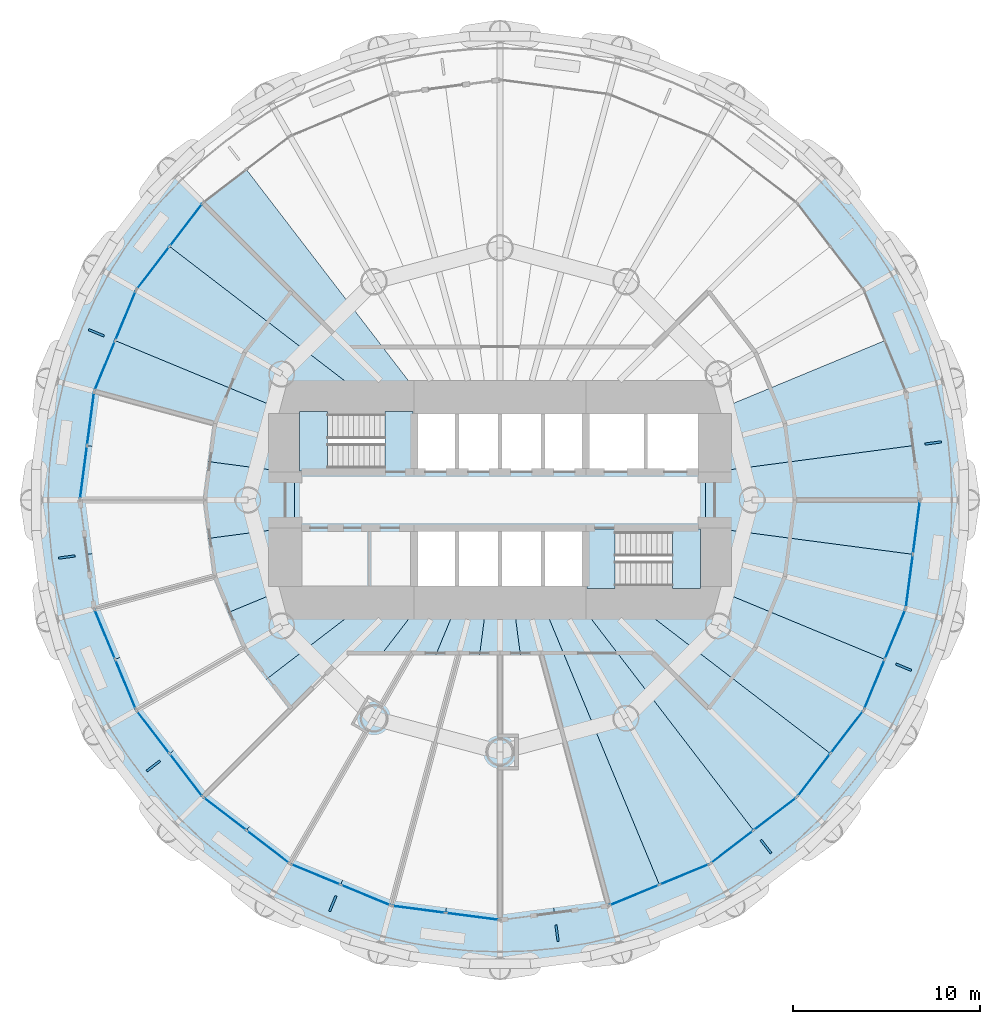
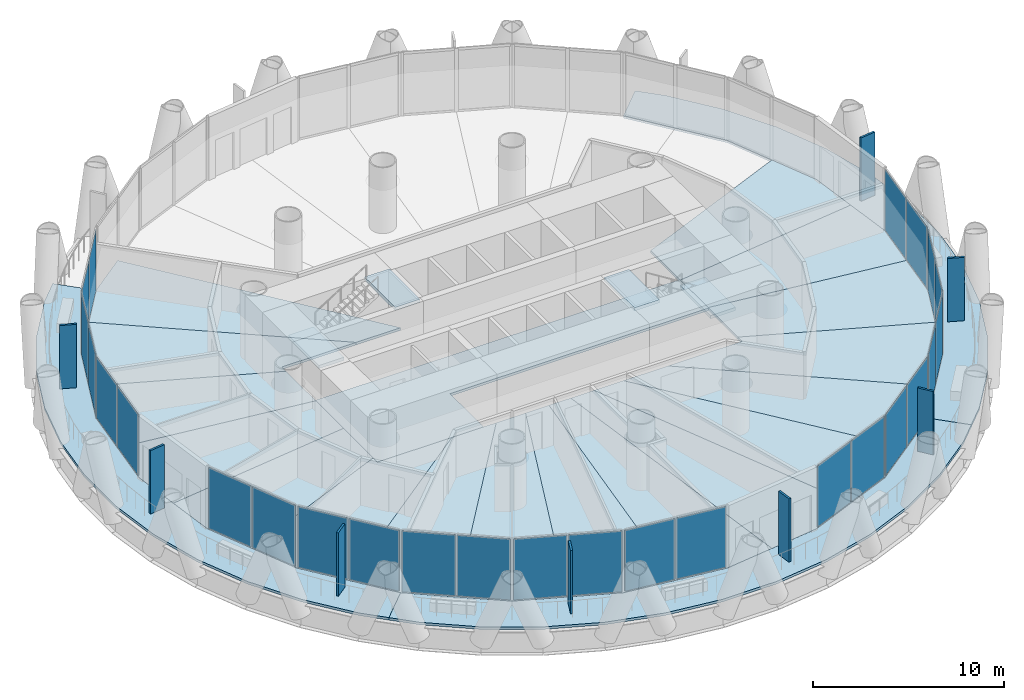
# One storey, part 8 of 16: 34 plates, 25 slabs, 15 elements without a shape of their own.
"""IFC4 building model written with IfcOpenShell, lengths in metres."""

from ifc_helpers import new_model, si_unit, direction, frame, origin, origin_2d, place, context, subcontext, project, spatial, polyline, rectangle, outline, extrude, material, layer, layer_set, type_object, element, aggregate, save


model = new_model("IFC4")

# Units and contexts
model_context = context("Model", 3, precision=1e-05, world=origin(), true_north=direction((0.0, 1.0)))
body_context = subcontext(model_context, "Body", "Model", "MODEL_VIEW")
ifc_project = project(units=[si_unit("LENGTHUNIT", "METRE"), si_unit("AREAUNIT", "SQUARE_METRE"), si_unit("VOLUMEUNIT", "CUBIC_METRE"), si_unit("PLANEANGLEUNIT", "RADIAN"), si_unit("MASSUNIT", "GRAM", prefix="KILO")], contexts=[model_context])

# Site, building, storey
site_placement = place(None, origin())
site = spatial("IfcSite", under=ifc_project, at=site_placement, CompositionType="ELEMENT")
building_placement = place(site_placement, origin())
building = spatial("IfcBuilding", under=site, at=building_placement, Name="Qaws Media Tower", CompositionType="ELEMENT")
storey_placement = place(building_placement, frame((0.0, 0.0, 55.39990234375)))
storey = spatial("IfcBuildingStorey", under=building, at=storey_placement, Name="L11", CompositionType="ELEMENT", Elevation=55.39990234375)

# Slabs
ifc_material_1 = material(Name="Concrete C35/45", Category="concrete")
ifc_layer_1 = layer(ifc_material_1, 0.159912109375)
ifc_layer_set_1 = layer_set([ifc_layer_1], Name="Composite balcony slab 160")
slab_type_1 = type_object("IfcSlabType", Name="Composite balcony slab 160", PredefinedType="FLOOR", material=ifc_layer_set_1)
slab_1_placement = place(storey_placement, frame((0.0, 0.0, -0.159912109375)))
element("IfcSlab", 1, at=slab_1_placement, inside=storey, type_object=slab_type_1, Name="S2 balcony slab L11 R10 to R16, movement joints on R10 and R16", PredefinedType="FLOOR", context=body_context, shape_type="SweptSolid", body=[
    extrude(outline(polyline([(41.279296875, 33.582275390625), (39.29638671875, 36.166259765625), (37.66796875, 38.987060546875), (36.42138671875, 41.99609375), (35.578369140625, 45.142333984375), (35.1533203125, 48.37158203125), (35.1533203125, 51.62841796875), (35.578369140625, 54.857666015625), (36.42138671875, 58.00390625), (37.66796875, 61.012939453125), (39.29638671875, 63.833740234375), (41.279296875, 66.417724609375), (42.4306640625, 67.5693359375), (44.090087890625, 65.909912109375), (40.514404296875, 61.25), (38.2666015625, 55.823486328125), (37.5, 50.0), (38.2666015625, 44.176513671875), (40.514404296875, 38.75), (44.090087890625, 34.090087890625), (42.4306640625, 32.4306640625), (41.279296875, 33.582275390625)])), origin(), (0.0, 0.0, 1.0), 0.159912109375),
])
slab_2_placement = place(storey_placement, frame((0.0, 0.0, -0.159912109375)))
element("IfcSlab", 2, at=slab_2_placement, inside=storey, type_object=slab_type_1, Name="S2 balcony slab L11 R16 to R22, movement joints on R16 and R22", PredefinedType="FLOOR", context=body_context, shape_type="SweptSolid", body=[
    extrude(outline(polyline([(76.417724609375, 31.279296875), (73.833740234375, 29.29638671875), (71.012939453125, 27.66796875), (68.00390625, 26.42138671875), (64.857666015625, 25.578369140625), (61.62841796875, 25.1533203125), (58.37158203125, 25.1533203125), (55.142333984375, 25.578369140625), (51.99609375, 26.42138671875), (48.987060546875, 27.66796875), (46.166259765625, 29.29638671875), (43.582275390625, 31.279296875), (42.4306640625, 32.4306640625), (44.090087890625, 34.090087890625), (48.75, 30.514404296875), (54.176513671875, 28.2666015625), (60.0, 27.5), (65.823486328125, 28.2666015625), (71.25, 30.514404296875), (75.909912109375, 34.090087890625), (77.5693359375, 32.4306640625), (76.417724609375, 31.279296875)])), origin(), (0.0, 0.0, 1.0), 0.159912109375),
])
slab_3_placement = place(storey_placement, frame((0.0, 0.0, -0.159912109375)))
element("IfcSlab", 3, at=slab_3_placement, inside=storey, type_object=slab_type_1, Name="S2 balcony slab L11 R22 to R04, movement joints on R22 and R04", PredefinedType="FLOOR", context=body_context, shape_type="SweptSolid", body=[
    extrude(outline(polyline([(84.421630859375, 45.142333984375), (83.57861328125, 41.99609375), (82.33203125, 38.987060546875), (80.70361328125, 36.166259765625), (78.720703125, 33.582275390625), (77.5693359375, 32.4306640625), (75.909912109375, 34.090087890625), (79.485595703125, 38.75), (81.7333984375, 44.176513671875), (82.5, 50.0), (81.7333984375, 55.823486328125), (79.485595703125, 61.25), (75.909912109375, 65.909912109375), (77.5693359375, 67.5693359375), (78.720703125, 66.417724609375), (80.70361328125, 63.833740234375), (82.33203125, 61.012939453125), (83.57861328125, 58.00390625), (84.421630859375, 54.857666015625), (84.8466796875, 51.62841796875), (84.8466796875, 48.37158203125), (84.421630859375, 45.142333984375)])), origin(), (0.0, 0.0, 1.0), 0.159912109375),
])
ifc_material_2 = material(Name="Concrete C35/45", Category="concrete")
ifc_layer_2 = layer(ifc_material_2, 0.159912109375)
ifc_layer_set_2 = layer_set([ifc_layer_2], Name="Composite floor slab 160")
slab_type_2 = type_object("IfcSlabType", Name="Composite floor slab 160", PredefinedType="FLOOR", material=ifc_layer_set_2)
slab_4_placement = place(storey_placement, frame((0.0, 0.0, -0.159912109375)))
element("IfcSlab", 4, at=slab_4_placement, inside=storey, type_object=slab_type_2, Name="S1 core floor slab L11", PredefinedType="FLOOR", context=body_context, shape_type="SweptSolid", body=[
    extrude(outline(polyline([(71.0, 51.5), (71.0, 48.5), (55.39990234375, 48.5), (55.39990234375, 45.0), (49.0, 45.0), (49.0, 51.5), (71.0, 51.5)])), origin(), (0.0, 0.0, 1.0), 0.159912109375),
])
slab_5_placement = place(storey_placement, frame((0.0, 0.0, -0.159912109375)))
element("IfcSlab", 5, at=slab_5_placement, inside=storey, type_object=slab_type_2, Name="S1 floor panel L11 on R01", PredefinedType="FLOOR", context=body_context, shape_type="SweptSolid", body=[
    extrude(outline(polyline([(82.5, 50.0), (82.11669921875, 47.08837890625), (71.0, 48.5517578125), (71.0, 51.4482421875), (82.11669921875, 52.91162109375), (82.5, 50.0)])), origin(), (0.0, 0.0, 1.0), 0.159912109375),
])
slab_6_placement = place(storey_placement, frame((0.0, 0.0, -0.159912109375)))
element("IfcSlab", 6, at=slab_6_placement, inside=storey, type_object=slab_type_2, Name="S1 floor panel L11 on R02", PredefinedType="FLOOR", context=body_context, shape_type="SweptSolid", body=[
    extrude(outline(polyline([(81.7333984375, 55.823486328125), (82.11669921875, 52.91162109375), (71.0, 51.4482421875), (71.0, 54.556396484375), (80.609619140625, 58.53662109375), (81.7333984375, 55.823486328125)])), origin(), (0.0, 0.0, 1.0), 0.159912109375),
])
slab_7_placement = place(storey_placement, frame((0.0, 0.0, -0.159912109375)))
element("IfcSlab", 7, at=slab_7_placement, inside=storey, type_object=slab_type_2, Name="S1 floor panel L11 on R10", PredefinedType="FLOOR", context=body_context, shape_type="SweptSolid", body=[
    extrude(outline(polyline([(44.090087890625, 65.909912109375), (46.419921875, 67.69775390625), (56.163330078125, 55.0), (53.48388671875, 55.0), (42.30224609375, 63.580078125), (44.090087890625, 65.909912109375)])), origin(), (0.0, 0.0, 1.0), 0.159912109375),
])
slab_8_placement = place(storey_placement, frame((0.0, 0.0, -0.159912109375)))
element("IfcSlab", 8, at=slab_8_placement, inside=storey, type_object=slab_type_2, Name="S1 floor panel L11 on R11", PredefinedType="FLOOR", context=body_context, shape_type="SweptSolid", body=[
    extrude(outline(polyline([(40.514404296875, 61.25), (42.30224609375, 63.580078125), (53.48388671875, 55.0), (49.0, 55.0), (49.0, 54.556396484375), (39.390380859375, 58.53662109375), (40.514404296875, 61.25)])), origin(), (0.0, 0.0, 1.0), 0.159912109375),
])
slab_9_placement = place(storey_placement, frame((0.0, 0.0, -0.159912109375)))
element("IfcSlab", 9, at=slab_9_placement, inside=storey, type_object=slab_type_2, Name="S1 floor panel L11 on R12", PredefinedType="FLOOR", context=body_context, shape_type="SweptSolid", body=[
    extrude(outline(polyline([(38.2666015625, 55.823486328125), (39.390380859375, 58.53662109375), (49.0, 54.556396484375), (49.0, 51.4482421875), (37.88330078125, 52.91162109375), (38.2666015625, 55.823486328125)])), origin(), (0.0, 0.0, 1.0), 0.159912109375),
])
slab_10_placement = place(storey_placement, frame((0.0, 0.0, -0.159912109375)))
element("IfcSlab", 10, at=slab_10_placement, inside=storey, type_object=slab_type_2, Name="S1 floor panel L11 on R13", PredefinedType="FLOOR", context=body_context, shape_type="SweptSolid", body=[
    extrude(outline(polyline([(37.5, 50.0), (37.88330078125, 52.91162109375), (49.0, 51.4482421875), (49.0, 48.5517578125), (37.88330078125, 47.08837890625), (37.5, 50.0)])), origin(), (0.0, 0.0, 1.0), 0.159912109375),
])
slab_11_placement = place(storey_placement, frame((0.0, 0.0, -0.159912109375)))
element("IfcSlab", 11, at=slab_11_placement, inside=storey, type_object=slab_type_2, Name="S1 floor panel L11 on R14", PredefinedType="FLOOR", context=body_context, shape_type="SweptSolid", body=[
    extrude(outline(polyline([(38.2666015625, 44.176513671875), (37.88330078125, 47.08837890625), (49.0, 48.5517578125), (49.0, 45.443603515625), (39.390380859375, 41.46337890625), (38.2666015625, 44.176513671875)])), origin(), (0.0, 0.0, 1.0), 0.159912109375),
])
slab_12_placement = place(storey_placement, frame((0.0, 0.0, -0.159912109375)))
element("IfcSlab", 12, at=slab_12_placement, inside=storey, type_object=slab_type_2, Name="S1 floor panel L11 on R15", PredefinedType="FLOOR", context=body_context, shape_type="SweptSolid", body=[
    extrude(outline(polyline([(40.514404296875, 38.75), (39.390380859375, 41.46337890625), (49.0, 45.443603515625), (49.0, 45.0), (53.48388671875, 45.0), (42.30224609375, 36.419921875), (40.514404296875, 38.75)])), origin(), (0.0, 0.0, 1.0), 0.159912109375),
])
slab_13_placement = place(storey_placement, frame((0.0, 0.0, -0.159912109375)))
element("IfcSlab", 13, at=slab_13_placement, inside=storey, type_object=slab_type_2, Name="S1 floor panel L11 on R16", PredefinedType="FLOOR", context=body_context, shape_type="SweptSolid", body=[
    extrude(outline(polyline([(44.090087890625, 34.090087890625), (42.30224609375, 36.419921875), (53.48388671875, 45.0), (56.163330078125, 45.0), (46.419921875, 32.30224609375), (44.090087890625, 34.090087890625)])), origin(), (0.0, 0.0, 1.0), 0.159912109375),
])
slab_14_placement = place(storey_placement, frame((0.0, 0.0, -0.159912109375)))
element("IfcSlab", 14, at=slab_14_placement, inside=storey, type_object=slab_type_2, Name="S1 floor panel L11 on R17", PredefinedType="FLOOR", context=body_context, shape_type="SweptSolid", body=[
    extrude(outline(polyline([(48.75, 30.514404296875), (46.419921875, 32.30224609375), (56.163330078125, 45.0), (57.928955078125, 45.0), (51.46337890625, 29.390380859375), (48.75, 30.514404296875)])), origin(), (0.0, 0.0, 1.0), 0.159912109375),
])
slab_15_placement = place(storey_placement, frame((0.0, 0.0, -0.159912109375)))
element("IfcSlab", 15, at=slab_15_placement, inside=storey, type_object=slab_type_2, Name="S1 floor panel L11 on R18", PredefinedType="FLOOR", context=body_context, shape_type="SweptSolid", body=[
    extrude(outline(polyline([(54.176513671875, 28.2666015625), (51.46337890625, 29.390380859375), (57.928955078125, 45.0), (59.341796875, 45.0), (57.08837890625, 27.88330078125), (54.176513671875, 28.2666015625)])), origin(), (0.0, 0.0, 1.0), 0.159912109375),
])
slab_16_placement = place(storey_placement, frame((0.0, 0.0, -0.159912109375)))
element("IfcSlab", 16, at=slab_16_placement, inside=storey, type_object=slab_type_2, Name="S1 floor panel L11 on R19", PredefinedType="FLOOR", context=body_context, shape_type="SweptSolid", body=[
    extrude(outline(polyline([(60.0, 27.5), (57.08837890625, 27.88330078125), (59.341796875, 45.0), (60.658203125, 45.0), (62.91162109375, 27.88330078125), (60.0, 27.5)])), origin(), (0.0, 0.0, 1.0), 0.159912109375),
])
slab_17_placement = place(storey_placement, frame((0.0, 0.0, -0.159912109375)))
element("IfcSlab", 17, at=slab_17_placement, inside=storey, type_object=slab_type_2, Name="S1 floor panel L11 on R20", PredefinedType="FLOOR", context=body_context, shape_type="SweptSolid", body=[
    extrude(outline(polyline([(65.823486328125, 28.2666015625), (62.91162109375, 27.88330078125), (60.658203125, 45.0), (62.071044921875, 45.0), (68.53662109375, 29.390380859375), (65.823486328125, 28.2666015625)])), origin(), (0.0, 0.0, 1.0), 0.159912109375),
])
slab_18_placement = place(storey_placement, frame((0.0, 0.0, -0.159912109375)))
element("IfcSlab", 18, at=slab_18_placement, inside=storey, type_object=slab_type_2, Name="S1 floor panel L11 on R21", PredefinedType="FLOOR", context=body_context, shape_type="SweptSolid", body=[
    extrude(outline(polyline([(71.25, 30.514404296875), (68.53662109375, 29.390380859375), (62.071044921875, 45.0), (63.836669921875, 45.0), (73.580078125, 32.30224609375), (71.25, 30.514404296875)])), origin(), (0.0, 0.0, 1.0), 0.159912109375),
])
slab_19_placement = place(storey_placement, frame((0.0, 0.0, -0.159912109375)))
element("IfcSlab", 19, at=slab_19_placement, inside=storey, type_object=slab_type_2, Name="S1 floor panel L11 on R22", PredefinedType="FLOOR", context=body_context, shape_type="SweptSolid", body=[
    extrude(outline(polyline([(75.909912109375, 34.090087890625), (73.580078125, 32.30224609375), (63.836669921875, 45.0), (66.51611328125, 45.0), (77.69775390625, 36.419921875), (75.909912109375, 34.090087890625)])), origin(), (0.0, 0.0, 1.0), 0.159912109375),
])
slab_20_placement = place(storey_placement, frame((0.0, 0.0, -0.159912109375)))
element("IfcSlab", 20, at=slab_20_placement, inside=storey, type_object=slab_type_2, Name="S1 floor panel L11 on R23", PredefinedType="FLOOR", context=body_context, shape_type="SweptSolid", body=[
    extrude(outline(polyline([(79.485595703125, 38.75), (77.69775390625, 36.419921875), (66.51611328125, 45.0), (71.0, 45.0), (71.0, 45.443603515625), (80.609619140625, 41.46337890625), (79.485595703125, 38.75)])), origin(), (0.0, 0.0, 1.0), 0.159912109375),
])
slab_21_placement = place(storey_placement, frame((0.0, 0.0, -0.159912109375)))
element("IfcSlab", 21, at=slab_21_placement, inside=storey, type_object=slab_type_2, Name="S1 floor panel L11 on R24", PredefinedType="FLOOR", context=body_context, shape_type="SweptSolid", body=[
    extrude(outline(polyline([(80.609619140625, 41.46337890625), (71.0, 45.443603515625), (71.0, 48.5517578125), (82.11669921875, 47.08837890625), (81.7333984375, 44.176513671875), (80.609619140625, 41.46337890625)])), origin(), (0.0, 0.0, 1.0), 0.159912109375),
])

# Curtain wall, plates
ifc_material_3 = material(Name="Aluminium and clear glass", Category="aluminium")
curtain_wall_type = type_object("IfcCurtainWallType", Name="Unitised curtain wall CW-A", PredefinedType="NOTDEFINED", material=ifc_material_3)
curtain_wall_1_placement = place(storey_placement, origin())
curtain_wall_1 = element("IfcCurtainWall", 22, at=curtain_wall_1_placement, inside=storey, type_object=curtain_wall_type, Name="CWA curtain wall L11-10", PredefinedType="NOTDEFINED")
ifc_material_4 = material(Name="Clear laminated double glazing", Category="glass")
ifc_layer_3 = layer(ifc_material_4, 0.031982421875)
ifc_layer_set_3 = layer_set([ifc_layer_3], Name="Curtain wall glass unit 32")
plate_type_1 = type_object("IfcPlateType", Name="Curtain wall glass unit 32", PredefinedType="CURTAIN_PANEL", material=ifc_layer_set_3)
plate_1_placement = place(storey_placement, frame((43.18408203125, 64.72900390625, 0.080078125), z_axis=(0.0, 0.0, 1.0), x_axis=(-0.608761393298, -0.793353367693, 0.0)))
plate_1 = element("IfcPlate", 23, at=plate_1_placement, type_object=plate_type_1, Name="CWA panel 1.1", PredefinedType="CURTAIN_PANEL", context=body_context, shape_type="SweptSolid", body=[
    extrude(rectangle(XDim=2.81689453125, YDim=0.031982421875, at=origin_2d()), origin(), (0.0, 0.0, 1.0), 3.8798828125),
])
plate_2_placement = place(storey_placement, frame((41.42041015625, 62.430908203125, 0.080078125), z_axis=(0.0, 0.0, 1.0), x_axis=(-0.608761393298, -0.793353367693, 0.0)))
plate_2 = element("IfcPlate", 24, at=plate_2_placement, type_object=plate_type_1, Name="CWA panel 2.1", PredefinedType="CURTAIN_PANEL", context=body_context, shape_type="SweptSolid", body=[
    extrude(rectangle(XDim=2.81689453125, YDim=0.031982421875, at=origin_2d()), origin(), (0.0, 0.0, 1.0), 3.8798828125),
])
aggregate(curtain_wall_1, [plate_1, plate_2])

curtain_wall_2_placement = place(storey_placement, origin())
curtain_wall_2 = element("IfcCurtainWall", 25, at=curtain_wall_2_placement, inside=storey, type_object=curtain_wall_type, Name="CWA curtain wall L11-11", PredefinedType="NOTDEFINED")
plate_3_placement = place(storey_placement, frame((39.94482421875, 59.875, 0.080078125), z_axis=(0.0, 0.0, 1.0), x_axis=(-0.38268338799, -0.923879550892, 0.0)))
plate_3 = element("IfcPlate", 26, at=plate_3_placement, type_object=plate_type_1, Name="CWA panel 1.1", PredefinedType="CURTAIN_PANEL", context=body_context, shape_type="SweptSolid", body=[
    extrude(rectangle(XDim=2.81689453125, YDim=0.031982421875, at=origin_2d()), origin(), (0.0, 0.0, 1.0), 3.8798828125),
])
plate_4_placement = place(storey_placement, frame((38.836181640625, 57.198486328125, 0.080078125), z_axis=(0.0, 0.0, 1.0), x_axis=(-0.38268338799, -0.923879550892, 0.0)))
plate_4 = element("IfcPlate", 27, at=plate_4_placement, type_object=plate_type_1, Name="CWA panel 2.1", PredefinedType="CURTAIN_PANEL", context=body_context, shape_type="SweptSolid", body=[
    extrude(rectangle(XDim=2.81689453125, YDim=0.031982421875, at=origin_2d()), origin(), (0.0, 0.0, 1.0), 3.8798828125),
])
aggregate(curtain_wall_2, [plate_3, plate_4])

curtain_wall_3_placement = place(storey_placement, origin())
curtain_wall_3 = element("IfcCurtainWall", 28, at=curtain_wall_3_placement, inside=storey, type_object=curtain_wall_type, Name="CWA curtain wall L11-12", PredefinedType="NOTDEFINED")
plate_5_placement = place(storey_placement, frame((38.072509765625, 54.34765625, 0.080078125), z_axis=(0.0, 0.0, 1.0), x_axis=(-0.13052619684, -0.991444860766, 0.0)))
plate_5 = element("IfcPlate", 29, at=plate_5_placement, type_object=plate_type_1, Name="CWA panel 1.1", PredefinedType="CURTAIN_PANEL", context=body_context, shape_type="SweptSolid", body=[
    extrude(rectangle(XDim=2.81689453125, YDim=0.031982421875, at=origin_2d()), origin(), (0.0, 0.0, 1.0), 3.8798828125),
])
plate_6_placement = place(storey_placement, frame((37.6943359375, 51.4755859375, 0.080078125), z_axis=(0.0, 0.0, 1.0), x_axis=(-0.13052619684, -0.991444860766, 0.0)))
plate_6 = element("IfcPlate", 30, at=plate_6_placement, type_object=plate_type_1, Name="CWA panel 2.1", PredefinedType="CURTAIN_PANEL", context=body_context, shape_type="SweptSolid", body=[
    extrude(rectangle(XDim=2.81689453125, YDim=0.031982421875, at=origin_2d()), origin(), (0.0, 0.0, 1.0), 3.8798828125),
])
aggregate(curtain_wall_3, [plate_5, plate_6])

curtain_wall_4_placement = place(storey_placement, origin())
curtain_wall_4 = element("IfcCurtainWall", 31, at=curtain_wall_4_placement, inside=storey, type_object=curtain_wall_type, Name="CWA curtain wall L11-14", PredefinedType="NOTDEFINED")
plate_7_placement = place(storey_placement, frame((38.836181640625, 42.801513671875, 0.080078125), z_axis=(0.0, 0.0, 1.0), x_axis=(0.38268338799, -0.923879550892, 0.0)))
plate_7 = element("IfcPlate", 32, at=plate_7_placement, type_object=plate_type_1, Name="CWA panel 1.1", PredefinedType="CURTAIN_PANEL", context=body_context, shape_type="SweptSolid", body=[
    extrude(rectangle(XDim=2.81689453125, YDim=0.031982421875, at=origin_2d()), origin(), (0.0, 0.0, 1.0), 3.8798828125),
])
plate_8_placement = place(storey_placement, frame((39.94482421875, 40.125, 0.080078125), z_axis=(0.0, 0.0, 1.0), x_axis=(0.38268338799, -0.923879550892, 0.0)))
plate_8 = element("IfcPlate", 33, at=plate_8_placement, type_object=plate_type_1, Name="CWA panel 2.1", PredefinedType="CURTAIN_PANEL", context=body_context, shape_type="SweptSolid", body=[
    extrude(rectangle(XDim=2.81689453125, YDim=0.031982421875, at=origin_2d()), origin(), (0.0, 0.0, 1.0), 3.8798828125),
])
aggregate(curtain_wall_4, [plate_7, plate_8])

curtain_wall_5_placement = place(storey_placement, origin())
curtain_wall_5 = element("IfcCurtainWall", 34, at=curtain_wall_5_placement, inside=storey, type_object=curtain_wall_type, Name="CWA curtain wall L11-15", PredefinedType="NOTDEFINED")
plate_9_placement = place(storey_placement, frame((41.42041015625, 37.569091796875, 0.080078125), z_axis=(0.0, 0.0, 1.0), x_axis=(0.608761393298, -0.793353367693, 0.0)))
plate_9 = element("IfcPlate", 35, at=plate_9_placement, type_object=plate_type_1, Name="CWA panel 1.1", PredefinedType="CURTAIN_PANEL", context=body_context, shape_type="SweptSolid", body=[
    extrude(rectangle(XDim=2.81689453125, YDim=0.031982421875, at=origin_2d()), origin(), (0.0, 0.0, 1.0), 3.8798828125),
])
plate_10_placement = place(storey_placement, frame((43.18408203125, 35.27099609375, 0.080078125), z_axis=(0.0, 0.0, 1.0), x_axis=(0.608761393298, -0.793353367693, 0.0)))
plate_10 = element("IfcPlate", 36, at=plate_10_placement, type_object=plate_type_1, Name="CWA panel 2.1", PredefinedType="CURTAIN_PANEL", context=body_context, shape_type="SweptSolid", body=[
    extrude(rectangle(XDim=2.81689453125, YDim=0.031982421875, at=origin_2d()), origin(), (0.0, 0.0, 1.0), 3.8798828125),
])
aggregate(curtain_wall_5, [plate_9, plate_10])

curtain_wall_6_placement = place(storey_placement, origin())
curtain_wall_6 = element("IfcCurtainWall", 37, at=curtain_wall_6_placement, inside=storey, type_object=curtain_wall_type, Name="CWA curtain wall L11-16", PredefinedType="NOTDEFINED")
plate_11_placement = place(storey_placement, frame((45.27099609375, 33.18408203125, 0.080078125), z_axis=(0.0, 0.0, 1.0), x_axis=(0.793353367693, -0.608761393298, 0.0)))
plate_11 = element("IfcPlate", 38, at=plate_11_placement, type_object=plate_type_1, Name="CWA panel 1.1", PredefinedType="CURTAIN_PANEL", context=body_context, shape_type="SweptSolid", body=[
    extrude(rectangle(XDim=2.81689453125, YDim=0.031982421875, at=origin_2d()), origin(), (0.0, 0.0, 1.0), 3.8798828125),
])
plate_12_placement = place(storey_placement, frame((47.569091796875, 31.42041015625, 0.080078125), z_axis=(0.0, 0.0, 1.0), x_axis=(0.793353367693, -0.608761393298, 0.0)))
plate_12 = element("IfcPlate", 39, at=plate_12_placement, type_object=plate_type_1, Name="CWA panel 2.1", PredefinedType="CURTAIN_PANEL", context=body_context, shape_type="SweptSolid", body=[
    extrude(rectangle(XDim=2.81689453125, YDim=0.031982421875, at=origin_2d()), origin(), (0.0, 0.0, 1.0), 3.8798828125),
])
aggregate(curtain_wall_6, [plate_11, plate_12])

curtain_wall_7_placement = place(storey_placement, origin())
curtain_wall_7 = element("IfcCurtainWall", 40, at=curtain_wall_7_placement, inside=storey, type_object=curtain_wall_type, Name="CWA curtain wall L11-17", PredefinedType="NOTDEFINED")
plate_13_placement = place(storey_placement, frame((50.125, 29.94482421875, 0.080078125), z_axis=(0.0, 0.0, 1.0), x_axis=(0.923879550892, -0.38268338799, 0.0)))
plate_13 = element("IfcPlate", 41, at=plate_13_placement, type_object=plate_type_1, Name="CWA panel 1.1", PredefinedType="CURTAIN_PANEL", context=body_context, shape_type="SweptSolid", body=[
    extrude(rectangle(XDim=2.81689453125, YDim=0.031982421875, at=origin_2d()), origin(), (0.0, 0.0, 1.0), 3.8798828125),
])
plate_14_placement = place(storey_placement, frame((52.801513671875, 28.836181640625, 0.080078125), z_axis=(0.0, 0.0, 1.0), x_axis=(0.923879550892, -0.38268338799, 0.0)))
plate_14 = element("IfcPlate", 42, at=plate_14_placement, type_object=plate_type_1, Name="CWA panel 2.1", PredefinedType="CURTAIN_PANEL", context=body_context, shape_type="SweptSolid", body=[
    extrude(rectangle(XDim=2.81689453125, YDim=0.031982421875, at=origin_2d()), origin(), (0.0, 0.0, 1.0), 3.8798828125),
])
aggregate(curtain_wall_7, [plate_13, plate_14])

curtain_wall_8_placement = place(storey_placement, origin())
curtain_wall_8 = element("IfcCurtainWall", 43, at=curtain_wall_8_placement, inside=storey, type_object=curtain_wall_type, Name="CWA curtain wall L11-18", PredefinedType="NOTDEFINED")
plate_15_placement = place(storey_placement, frame((55.65234375, 28.072509765625, 0.080078125), z_axis=(0.0, 0.0, 1.0), x_axis=(0.991444860766, -0.13052619684, 0.0)))
plate_15 = element("IfcPlate", 44, at=plate_15_placement, type_object=plate_type_1, Name="CWA panel 1.1", PredefinedType="CURTAIN_PANEL", context=body_context, shape_type="SweptSolid", body=[
    extrude(rectangle(XDim=2.81689453125, YDim=0.031982421875, at=origin_2d()), origin(), (0.0, 0.0, 1.0), 3.8798828125),
])
plate_16_placement = place(storey_placement, frame((58.5244140625, 27.6943359375, 0.080078125), z_axis=(0.0, 0.0, 1.0), x_axis=(0.991444860766, -0.13052619684, 0.0)))
plate_16 = element("IfcPlate", 45, at=plate_16_placement, type_object=plate_type_1, Name="CWA panel 2.1", PredefinedType="CURTAIN_PANEL", context=body_context, shape_type="SweptSolid", body=[
    extrude(rectangle(XDim=2.81689453125, YDim=0.031982421875, at=origin_2d()), origin(), (0.0, 0.0, 1.0), 3.8798828125),
])
aggregate(curtain_wall_8, [plate_15, plate_16])

curtain_wall_9_placement = place(storey_placement, origin())
curtain_wall_9 = element("IfcCurtainWall", 46, at=curtain_wall_9_placement, inside=storey, type_object=curtain_wall_type, Name="CWA curtain wall L11-20", PredefinedType="NOTDEFINED")
plate_17_placement = place(storey_placement, frame((67.198486328125, 28.836181640625, 0.080078125), z_axis=(0.0, 0.0, 1.0), x_axis=(0.923879550892, 0.38268338799, 0.0)))
plate_17 = element("IfcPlate", 47, at=plate_17_placement, type_object=plate_type_1, Name="CWA panel 1.1", PredefinedType="CURTAIN_PANEL", context=body_context, shape_type="SweptSolid", body=[
    extrude(rectangle(XDim=2.81689453125, YDim=0.031982421875, at=origin_2d()), origin(), (0.0, 0.0, 1.0), 3.8798828125),
])
plate_18_placement = place(storey_placement, frame((69.875, 29.94482421875, 0.080078125), z_axis=(0.0, 0.0, 1.0), x_axis=(0.923879550892, 0.38268338799, 0.0)))
plate_18 = element("IfcPlate", 48, at=plate_18_placement, type_object=plate_type_1, Name="CWA panel 2.1", PredefinedType="CURTAIN_PANEL", context=body_context, shape_type="SweptSolid", body=[
    extrude(rectangle(XDim=2.81689453125, YDim=0.031982421875, at=origin_2d()), origin(), (0.0, 0.0, 1.0), 3.8798828125),
])
aggregate(curtain_wall_9, [plate_17, plate_18])

curtain_wall_10_placement = place(storey_placement, origin())
curtain_wall_10 = element("IfcCurtainWall", 49, at=curtain_wall_10_placement, inside=storey, type_object=curtain_wall_type, Name="CWA curtain wall L11-21", PredefinedType="NOTDEFINED")
plate_19_placement = place(storey_placement, frame((72.430908203125, 31.42041015625, 0.080078125), z_axis=(0.0, 0.0, 1.0), x_axis=(0.793353367693, 0.608761393298, 0.0)))
plate_19 = element("IfcPlate", 50, at=plate_19_placement, type_object=plate_type_1, Name="CWA panel 1.1", PredefinedType="CURTAIN_PANEL", context=body_context, shape_type="SweptSolid", body=[
    extrude(rectangle(XDim=2.81689453125, YDim=0.031982421875, at=origin_2d()), origin(), (0.0, 0.0, 1.0), 3.8798828125),
])
plate_20_placement = place(storey_placement, frame((74.72900390625, 33.18408203125, 0.080078125), z_axis=(0.0, 0.0, 1.0), x_axis=(0.793353367693, 0.608761393298, 0.0)))
plate_20 = element("IfcPlate", 51, at=plate_20_placement, type_object=plate_type_1, Name="CWA panel 2.1", PredefinedType="CURTAIN_PANEL", context=body_context, shape_type="SweptSolid", body=[
    extrude(rectangle(XDim=2.81689453125, YDim=0.031982421875, at=origin_2d()), origin(), (0.0, 0.0, 1.0), 3.8798828125),
])
aggregate(curtain_wall_10, [plate_19, plate_20])

curtain_wall_11_placement = place(storey_placement, origin())
curtain_wall_11 = element("IfcCurtainWall", 52, at=curtain_wall_11_placement, inside=storey, type_object=curtain_wall_type, Name="CWA curtain wall L11-22", PredefinedType="NOTDEFINED")
plate_21_placement = place(storey_placement, frame((76.81591796875, 35.27099609375, 0.080078125), z_axis=(0.0, 0.0, 1.0), x_axis=(0.608761393298, 0.793353367693, 0.0)))
plate_21 = element("IfcPlate", 53, at=plate_21_placement, type_object=plate_type_1, Name="CWA panel 1.1", PredefinedType="CURTAIN_PANEL", context=body_context, shape_type="SweptSolid", body=[
    extrude(rectangle(XDim=2.81689453125, YDim=0.031982421875, at=origin_2d()), origin(), (0.0, 0.0, 1.0), 3.8798828125),
])
plate_22_placement = place(storey_placement, frame((78.57958984375, 37.569091796875, 0.080078125), z_axis=(0.0, 0.0, 1.0), x_axis=(0.608761393298, 0.793353367693, 0.0)))
plate_22 = element("IfcPlate", 54, at=plate_22_placement, type_object=plate_type_1, Name="CWA panel 2.1", PredefinedType="CURTAIN_PANEL", context=body_context, shape_type="SweptSolid", body=[
    extrude(rectangle(XDim=2.81689453125, YDim=0.031982421875, at=origin_2d()), origin(), (0.0, 0.0, 1.0), 3.8798828125),
])
aggregate(curtain_wall_11, [plate_21, plate_22])

curtain_wall_12_placement = place(storey_placement, origin())
curtain_wall_12 = element("IfcCurtainWall", 55, at=curtain_wall_12_placement, inside=storey, type_object=curtain_wall_type, Name="CWA curtain wall L11-23", PredefinedType="NOTDEFINED")
plate_23_placement = place(storey_placement, frame((80.05517578125, 40.125, 0.080078125), z_axis=(0.0, 0.0, 1.0), x_axis=(0.38268338799, 0.923879550892, 0.0)))
plate_23 = element("IfcPlate", 56, at=plate_23_placement, type_object=plate_type_1, Name="CWA panel 1.1", PredefinedType="CURTAIN_PANEL", context=body_context, shape_type="SweptSolid", body=[
    extrude(rectangle(XDim=2.81689453125, YDim=0.031982421875, at=origin_2d()), origin(), (0.0, 0.0, 1.0), 3.8798828125),
])
plate_24_placement = place(storey_placement, frame((81.163818359375, 42.801513671875, 0.080078125), z_axis=(0.0, 0.0, 1.0), x_axis=(0.38268338799, 0.923879550892, 0.0)))
plate_24 = element("IfcPlate", 57, at=plate_24_placement, type_object=plate_type_1, Name="CWA panel 2.1", PredefinedType="CURTAIN_PANEL", context=body_context, shape_type="SweptSolid", body=[
    extrude(rectangle(XDim=2.81689453125, YDim=0.031982421875, at=origin_2d()), origin(), (0.0, 0.0, 1.0), 3.8798828125),
])
aggregate(curtain_wall_12, [plate_23, plate_24])

curtain_wall_13_placement = place(storey_placement, origin())
curtain_wall_13 = element("IfcCurtainWall", 58, at=curtain_wall_13_placement, inside=storey, type_object=curtain_wall_type, Name="CWA curtain wall L11-24", PredefinedType="NOTDEFINED")
plate_25_placement = place(storey_placement, frame((81.927490234375, 45.65234375, 0.080078125), z_axis=(0.0, 0.0, 1.0), x_axis=(0.13052619684, 0.991444860766, 0.0)))
plate_25 = element("IfcPlate", 59, at=plate_25_placement, type_object=plate_type_1, Name="CWA panel 1.1", PredefinedType="CURTAIN_PANEL", context=body_context, shape_type="SweptSolid", body=[
    extrude(rectangle(XDim=2.81689453125, YDim=0.031982421875, at=origin_2d()), origin(), (0.0, 0.0, 1.0), 3.8798828125),
])
plate_26_placement = place(storey_placement, frame((82.3056640625, 48.5244140625, 0.080078125), z_axis=(0.0, 0.0, 1.0), x_axis=(0.13052619684, 0.991444860766, 0.0)))
plate_26 = element("IfcPlate", 60, at=plate_26_placement, type_object=plate_type_1, Name="CWA panel 2.1", PredefinedType="CURTAIN_PANEL", context=body_context, shape_type="SweptSolid", body=[
    extrude(rectangle(XDim=2.81689453125, YDim=0.031982421875, at=origin_2d()), origin(), (0.0, 0.0, 1.0), 3.8798828125),
])
aggregate(curtain_wall_13, [plate_25, plate_26])

# Plates
ifc_material_5 = material(Name="Precast concrete screen fin", Category="concrete")
ifc_layer_4 = layer(ifc_material_5, 0.1201171875)
ifc_layer_set_4 = layer_set([ifc_layer_4], Name="Screen fin 120x900")
plate_type_2 = type_object("IfcPlateType", Name="Screen fin 120x900", PredefinedType="USERDEFINED", material=ifc_layer_set_4)
for number, where, z_axis, x_axis, name in (
    (61, (83.19970703125, 53.05419921875, 0.0), (0.0, 0.0, 1.0), (0.991444861374, 0.13052619222, 0.0), "SCR1 screen fin L11-01"),
    (62, (38.381103515625, 58.954833984375, 0.0), (0.0, 0.0, 1.0), (-0.923879532511, 0.382683432365, 0.0), "SCR1 screen fin L11-06"),
    (63, (36.80029296875, 46.94580078125, 0.0), (0.0, 0.0, 1.0), (-0.991444861374, -0.13052619222, 0.0), "SCR1 screen fin L11-07"),
    (64, (41.435546875, 35.7548828125, 0.0), (0.0, 0.0, 1.0), (-0.793353340291, -0.608761429009, 0.0), "SCR1 screen fin L11-08"),
    (65, (51.045166015625, 28.381103515625, 0.0), (0.0, 0.0, 1.0), (-0.382683432365, -0.923879532511, 0.0), "SCR1 screen fin L11-09"),
    (66, (63.05419921875, 26.80029296875, 0.0), (0.0, 0.0, 1.0), (0.13052619222, -0.991444861374, 0.0), "SCR1 screen fin L11-10"),
    (67, (74.2451171875, 31.435546875, 0.0), (0.0, 0.0, 1.0), (0.608761429009, -0.793353340291, 0.0), "SCR1 screen fin L11-11"),
    (68, (81.618896484375, 41.045166015625, 0.0), (0.0, 0.0, 1.0), (0.923879532511, -0.382683432365, 0.0), "SCR1 screen fin L11-12"),
):
    element("IfcPlate", number, at=place(storey_placement, frame(where, z_axis=z_axis, x_axis=x_axis)), inside=storey, type_object=plate_type_2, Name=name, ObjectType="SCREEN", PredefinedType="USERDEFINED", context=body_context, shape_type="SweptSolid", body=[
        extrude(rectangle(XDim=0.89990234375, YDim=0.1201171875, at=origin_2d()), origin(), (0.0, 0.0, 1.0), 4.0400390625),
    ])

# Stair, slabs
ifc_material_6 = material(Name="Concrete C40/50", Category="concrete")
stair_type = type_object("IfcStairType", Name="Exit stair", PredefinedType="HALF_TURN_STAIR", material=ifc_material_6)
stair_1_placement = place(storey_placement, origin())
stair_1 = element("IfcStair", 69, at=stair_1_placement, inside=storey, type_object=stair_type, Name="S1 exit stair L11", PredefinedType="HALF_TURN_STAIR")
ifc_material_7 = material(Name="Concrete C40/50", Category="concrete")
ifc_layer_5 = layer(ifc_material_7, 0.199951171875)
ifc_layer_set_5 = layer_set([ifc_layer_5], Name="Stair landing 200")
slab_type_3 = type_object("IfcSlabType", Name="Stair landing 200", PredefinedType="LANDING", material=ifc_layer_set_5)
slab_22_placement = place(storey_placement, frame((0.0, 0.0, 1.900146484375)))
slab_22 = element("IfcSlab", 70, at=slab_22_placement, type_object=slab_type_3, Name="S1 landing 1", PredefinedType="LANDING", context=body_context, shape_type="SweptSolid", body=[
    extrude(outline(polyline([(49.25, 51.550048828125), (50.760009765625, 51.550048828125), (50.760009765625, 54.75), (49.25, 54.75), (49.25, 51.550048828125)])), origin(), (0.0, 0.0, 1.0), 0.199951171875),
])
slab_23_placement = place(storey_placement, frame((0.0, 0.0, 4.0)))
slab_23 = element("IfcSlab", 71, at=slab_23_placement, type_object=slab_type_3, Name="S1 landing 2", PredefinedType="LANDING", context=body_context, shape_type="SweptSolid", body=[
    extrude(outline(polyline([(53.840087890625, 51.550048828125), (55.35009765625, 51.550048828125), (55.35009765625, 54.75), (53.840087890625, 54.75), (53.840087890625, 51.550048828125)])), origin(), (0.0, 0.0, 1.0), 0.2001953125),
])
aggregate(stair_1, [slab_22, slab_23])

stair_2_placement = place(storey_placement, origin())
stair_2 = element("IfcStair", 72, at=stair_2_placement, inside=storey, type_object=stair_type, Name="S2 exit stair L11", PredefinedType="HALF_TURN_STAIR")
slab_24_placement = place(storey_placement, frame((0.0, 0.0, 1.900146484375)))
slab_24 = element("IfcSlab", 73, at=slab_24_placement, type_object=slab_type_3, Name="S2 landing 1", PredefinedType="LANDING", context=body_context, shape_type="SweptSolid", body=[
    extrude(outline(polyline([(69.239990234375, 45.25), (70.75, 45.25), (70.75, 48.449951171875), (69.239990234375, 48.449951171875), (69.239990234375, 45.25)])), origin(), (0.0, 0.0, 1.0), 0.199951171875),
])
slab_25_placement = place(storey_placement, frame((0.0, 0.0, 4.0)))
slab_25 = element("IfcSlab", 74, at=slab_25_placement, type_object=slab_type_3, Name="S2 landing 2", PredefinedType="LANDING", context=body_context, shape_type="SweptSolid", body=[
    extrude(outline(polyline([(64.64990234375, 45.25), (66.159912109375, 45.25), (66.159912109375, 48.449951171875), (64.64990234375, 48.449951171875), (64.64990234375, 45.25)])), origin(), (0.0, 0.0, 1.0), 0.2001953125),
])
aggregate(stair_2, [slab_24, slab_25])

save(model, "model.ifc")
